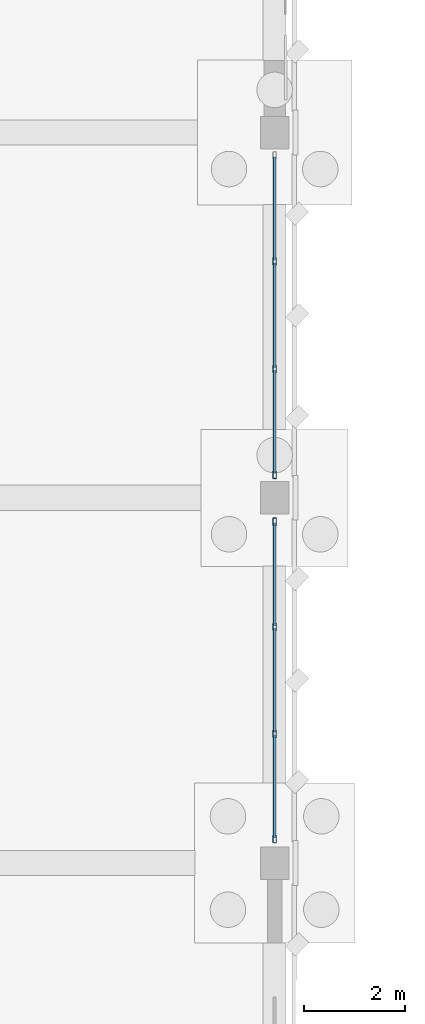
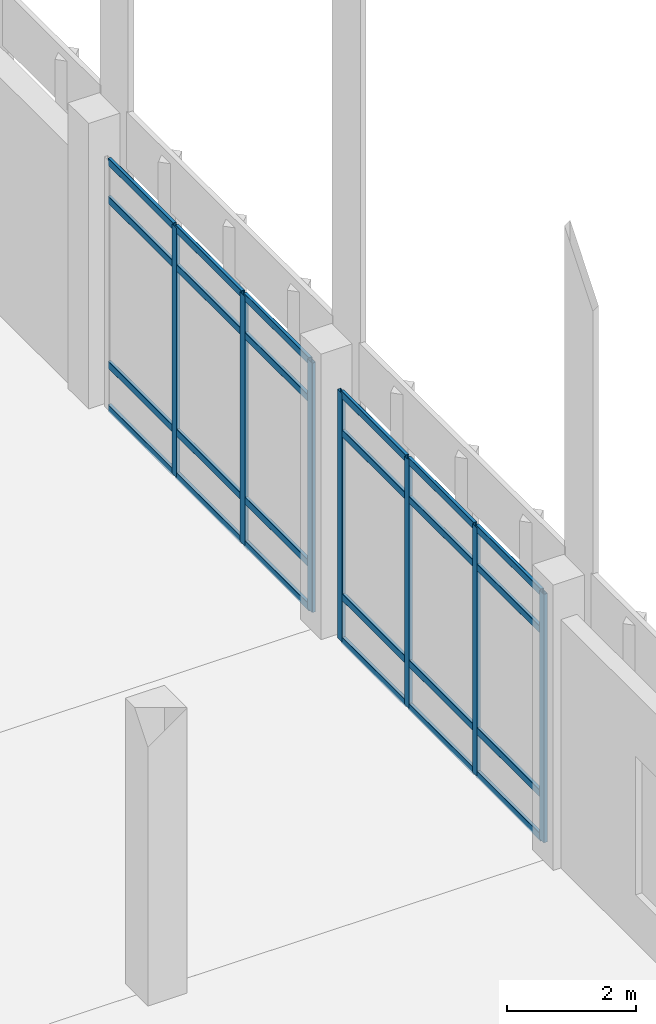
# One storey, part 67 of 109: 31 members, 2 elements without a shape of their own.
"""IFC4 building model written with IfcOpenShell, lengths in metres."""

from ifc_helpers import new_model, si_unit, direction, frame, origin, origin_2d, place, context, subcontext, project, spatial, hollow_rectangle, extrude, material, material_profile, profile_set, type_object, element, aggregate, save


model = new_model("IFC4")

# Units and contexts
model_context = context("Model", 3, precision=1e-05, world=origin(), true_north=direction((0.0, 1.0)))
body_context = subcontext(model_context, "Body", "Model", "MODEL_VIEW")
ifc_project = project(units=[si_unit("LENGTHUNIT", "METRE"), si_unit("AREAUNIT", "SQUARE_METRE"), si_unit("VOLUMEUNIT", "CUBIC_METRE"), si_unit("PLANEANGLEUNIT", "RADIAN"), si_unit("MASSUNIT", "GRAM", prefix="KILO")], contexts=[model_context])

# Site, building, storey
site_placement = place(None, origin())
site = spatial("IfcSite", under=ifc_project, at=site_placement, CompositionType="ELEMENT")
building_placement = place(site_placement, origin())
building = spatial("IfcBuilding", under=site, at=building_placement, Name="Lusvemor Sports Hall", CompositionType="ELEMENT")
storey_placement = place(building_placement, origin())
storey = spatial("IfcBuildingStorey", under=building, at=storey_placement, Name="L00", CompositionType="ELEMENT", Elevation=0.0)

# Curtain wall, members
ifc_material_1 = material(Name="Thermally broken bronze-anodized aluminium", Category="aluminium")
curtain_wall_type_1 = type_object("IfcCurtainWallType", Name="CW_WING_B", PredefinedType="NOTDEFINED", material=ifc_material_1)
curtain_wall_1_placement = place(storey_placement, origin())
curtain_wall_1 = element("IfcCurtainWall", 1, at=curtain_wall_1_placement, inside=storey, type_object=curtain_wall_type_1, Name="Curtain Wall CW-L00-E-2-0", PredefinedType="NOTDEFINED")
ifc_material_2 = material(Name="Thermally broken bronze-anodized aluminium", Category="aluminium")
ifc_material_profile_1 = material_profile(ifc_material_2, hollow_rectangle(XDim=0.06494140625, YDim=0.14990234375, WallThickness=0.00390625, InnerFilletRadius=0.00390625, OuterFilletRadius=0.008056640625, at=origin_2d()), Name="CWMUL150x65x4")
ifc_profile_set_1 = profile_set([ifc_material_profile_1], Name="Thermally broken bronze-anodized aluminium")
member_type_1 = type_object("IfcMemberType", Name="CW_MUL_B", PredefinedType="MULLION", material=ifc_profile_set_1)
member_1_placement = place(storey_placement, frame((169.199951171875, 87.4599609375, 0.0), z_axis=(0.0, 0.0, 1.0), x_axis=(1.0, 0.0, 0.0)))
member_1 = element("IfcMember", 2, at=member_1_placement, type_object=member_type_1, Name="CW02 mullion 2", PredefinedType="MULLION", context=body_context, shape_type="SweptSolid", body=[
    extrude(hollow_rectangle(XDim=0.06494140625, YDim=0.14990234375, WallThickness=0.00390625, InnerFilletRadius=0.00390625, OuterFilletRadius=0.008056640625, at=origin_2d()), origin(), (0.0, 0.0, 1.0), 4.719970703125),
])
member_2_placement = place(storey_placement, frame((169.199951171875, 85.340087890625, 0.0), z_axis=(0.0, 0.0, 1.0), x_axis=(1.0, 0.0, 0.0)))
member_2 = element("IfcMember", 3, at=member_2_placement, type_object=member_type_1, Name="CW02 mullion 3", PredefinedType="MULLION", context=body_context, shape_type="SweptSolid", body=[
    extrude(hollow_rectangle(XDim=0.06494140625, YDim=0.14990234375, WallThickness=0.00390625, InnerFilletRadius=0.00390625, OuterFilletRadius=0.008056640625, at=origin_2d()), origin(), (0.0, 0.0, 1.0), 4.719970703125),
])
member_3_placement = place(storey_placement, frame((169.199951171875, 83.25244140625, 0.0), z_axis=(0.0, 0.0, 1.0), x_axis=(1.0, 0.0, 0.0)))
member_3 = element("IfcMember", 4, at=member_3_placement, type_object=member_type_1, Name="CW02 mullion 4", PredefinedType="MULLION", context=body_context, shape_type="SweptSolid", body=[
    extrude(hollow_rectangle(XDim=0.06494140625, YDim=0.14990234375, WallThickness=0.00390625, InnerFilletRadius=0.00390625, OuterFilletRadius=0.008056640625, at=origin_2d()), origin(), (0.0, 0.0, 1.0), 4.719970703125),
])

ifc_material_3 = material(Name="Thermally broken bronze-anodized aluminium", Category="aluminium")
curtain_wall_type_2 = type_object("IfcCurtainWallType", Name="CW_PASSAGE_E", PredefinedType="NOTDEFINED", material=ifc_material_3)
curtain_wall_2_placement = place(storey_placement, origin())
curtain_wall_2 = element("IfcCurtainWall", 5, at=curtain_wall_2_placement, inside=storey, type_object=curtain_wall_type_2, Name="Curtain Wall CW-NLINK-169-L00", PredefinedType="NOTDEFINED")
member_4_placement = place(storey_placement, frame((169.199951171875, 76.072509765625, 0.0), z_axis=(0.0, 0.0, 1.0), x_axis=(-1.0, 0.0, 0.0)))
member_4 = element("IfcMember", 6, at=member_4_placement, type_object=member_type_1, Name="CW05 mullion 1", PredefinedType="MULLION", context=body_context, shape_type="SweptSolid", body=[
    extrude(hollow_rectangle(XDim=0.06494140625, YDim=0.14990234375, WallThickness=0.00390625, InnerFilletRadius=0.00390625, OuterFilletRadius=0.008056640625, at=origin_2d()), origin(), (0.0, 0.0, 1.0), 4.699951171875),
])
member_5_placement = place(storey_placement, frame((169.199951171875, 78.146728515625, 0.0), z_axis=(0.0, 0.0, 1.0), x_axis=(-1.0, 0.0, 0.0)))
member_5 = element("IfcMember", 7, at=member_5_placement, type_object=member_type_1, Name="CW05 mullion 2", PredefinedType="MULLION", context=body_context, shape_type="SweptSolid", body=[
    extrude(hollow_rectangle(XDim=0.06494140625, YDim=0.14990234375, WallThickness=0.00390625, InnerFilletRadius=0.00390625, OuterFilletRadius=0.008056640625, at=origin_2d()), origin(), (0.0, 0.0, 1.0), 4.699951171875),
])
member_6_placement = place(storey_placement, frame((169.199951171875, 80.25341796875, 0.0), z_axis=(0.0, 0.0, 1.0), x_axis=(-1.0, 0.0, 0.0)))
member_6 = element("IfcMember", 8, at=member_6_placement, type_object=member_type_1, Name="CW05 mullion 3", PredefinedType="MULLION", context=body_context, shape_type="SweptSolid", body=[
    extrude(hollow_rectangle(XDim=0.06494140625, YDim=0.14990234375, WallThickness=0.00390625, InnerFilletRadius=0.00390625, OuterFilletRadius=0.008056640625, at=origin_2d()), origin(), (0.0, 0.0, 1.0), 4.699951171875),
])
member_7_placement = place(storey_placement, frame((169.199951171875, 82.327392578125, 0.0), z_axis=(0.0, 0.0, 1.0), x_axis=(-1.0, 0.0, 0.0)))
member_7 = element("IfcMember", 9, at=member_7_placement, type_object=member_type_1, Name="CW05 mullion 4", PredefinedType="MULLION", context=body_context, shape_type="SweptSolid", body=[
    extrude(hollow_rectangle(XDim=0.06494140625, YDim=0.14990234375, WallThickness=0.00390625, InnerFilletRadius=0.00390625, OuterFilletRadius=0.008056640625, at=origin_2d()), origin(), (0.0, 0.0, 1.0), 4.699951171875),
])

# Member
ifc_material_4 = material(Name="Thermally broken bronze-anodized aluminium", Category="aluminium")
ifc_material_profile_2 = material_profile(ifc_material_4, hollow_rectangle(XDim=0.06005859375, YDim=0.135009765625, WallThickness=0.00390625, InnerFilletRadius=0.00390625, OuterFilletRadius=0.008056640625, at=origin_2d()), Name="CWTRN135x60x4")
ifc_profile_set_2 = profile_set([ifc_material_profile_2], Name="Thermally broken bronze-anodized aluminium")
member_type_2 = type_object("IfcMemberType", Name="CW_TRN_B", PredefinedType="USERDEFINED", material=ifc_profile_set_2)
member_8_placement = place(storey_placement, frame((169.199951171875, 89.514892578125, 0.030029296875), z_axis=(0.0, -1.0, 0.0), x_axis=(1.0, 0.0, 0.0)))
member_8 = element("IfcMember", 10, at=member_8_placement, type_object=member_type_2, Name="CW02 transom 1.1", ObjectType="TRANSOM", PredefinedType="USERDEFINED", context=body_context, shape_type="SweptSolid", body=[
    extrude(hollow_rectangle(XDim=0.06005859375, YDim=0.135009765625, WallThickness=0.00390625, InnerFilletRadius=0.00390625, OuterFilletRadius=0.008056640625, at=origin_2d()), origin(), (0.0, 0.0, 1.0), 2.0224609375),
])

member_9_placement = place(storey_placement, frame((169.199951171875, 89.514892578125, 0.85009765625), z_axis=(0.0, -1.0, 0.0), x_axis=(1.0, 0.0, 0.0)))
member_9 = element("IfcMember", 11, at=member_9_placement, type_object=member_type_2, Name="CW02 transom 1.2", ObjectType="TRANSOM", PredefinedType="USERDEFINED", context=body_context, shape_type="SweptSolid", body=[
    extrude(hollow_rectangle(XDim=0.06005859375, YDim=0.135009765625, WallThickness=0.00390625, InnerFilletRadius=0.00390625, OuterFilletRadius=0.008056640625, at=origin_2d()), origin(), (0.0, 0.0, 1.0), 2.0224609375),
])

member_10_placement = place(storey_placement, frame((169.199951171875, 89.514892578125, 3.969970703125), z_axis=(0.0, -1.0, 0.0), x_axis=(1.0, 0.0, 0.0)))
member_10 = element("IfcMember", 12, at=member_10_placement, type_object=member_type_2, Name="CW02 transom 1.3", ObjectType="TRANSOM", PredefinedType="USERDEFINED", context=body_context, shape_type="SweptSolid", body=[
    extrude(hollow_rectangle(XDim=0.06005859375, YDim=0.135009765625, WallThickness=0.00390625, InnerFilletRadius=0.00390625, OuterFilletRadius=0.008056640625, at=origin_2d()), origin(), (0.0, 0.0, 1.0), 2.0224609375),
])

member_11_placement = place(storey_placement, frame((169.199951171875, 89.514892578125, 4.68994140625), z_axis=(0.0, -1.0, 0.0), x_axis=(1.0, 0.0, 0.0)))
member_11 = element("IfcMember", 13, at=member_11_placement, type_object=member_type_2, Name="CW02 transom 1.4", ObjectType="TRANSOM", PredefinedType="USERDEFINED", context=body_context, shape_type="SweptSolid", body=[
    extrude(hollow_rectangle(XDim=0.06005859375, YDim=0.135009765625, WallThickness=0.00390625, InnerFilletRadius=0.00390625, OuterFilletRadius=0.008056640625, at=origin_2d()), origin(), (0.0, 0.0, 1.0), 2.0224609375),
])

member_12_placement = place(storey_placement, frame((169.199951171875, 87.427490234375, 0.030029296875), z_axis=(0.0, -1.0, 0.0), x_axis=(1.0, 0.0, 0.0)))
member_12 = element("IfcMember", 14, at=member_12_placement, type_object=member_type_2, Name="CW02 transom 2.1", ObjectType="TRANSOM", PredefinedType="USERDEFINED", context=body_context, shape_type="SweptSolid", body=[
    extrude(hollow_rectangle(XDim=0.06005859375, YDim=0.135009765625, WallThickness=0.00390625, InnerFilletRadius=0.00390625, OuterFilletRadius=0.008056640625, at=origin_2d()), origin(), (0.0, 0.0, 1.0), 2.054931640625),
])

member_13_placement = place(storey_placement, frame((169.199951171875, 87.427490234375, 0.85009765625), z_axis=(0.0, -1.0, 0.0), x_axis=(1.0, 0.0, 0.0)))
member_13 = element("IfcMember", 15, at=member_13_placement, type_object=member_type_2, Name="CW02 transom 2.2", ObjectType="TRANSOM", PredefinedType="USERDEFINED", context=body_context, shape_type="SweptSolid", body=[
    extrude(hollow_rectangle(XDim=0.06005859375, YDim=0.135009765625, WallThickness=0.00390625, InnerFilletRadius=0.00390625, OuterFilletRadius=0.008056640625, at=origin_2d()), origin(), (0.0, 0.0, 1.0), 2.054931640625),
])

member_14_placement = place(storey_placement, frame((169.199951171875, 87.427490234375, 3.969970703125), z_axis=(0.0, -1.0, 0.0), x_axis=(1.0, 0.0, 0.0)))
member_14 = element("IfcMember", 16, at=member_14_placement, type_object=member_type_2, Name="CW02 transom 2.3", ObjectType="TRANSOM", PredefinedType="USERDEFINED", context=body_context, shape_type="SweptSolid", body=[
    extrude(hollow_rectangle(XDim=0.06005859375, YDim=0.135009765625, WallThickness=0.00390625, InnerFilletRadius=0.00390625, OuterFilletRadius=0.008056640625, at=origin_2d()), origin(), (0.0, 0.0, 1.0), 2.054931640625),
])

member_15_placement = place(storey_placement, frame((169.199951171875, 87.427490234375, 4.68994140625), z_axis=(0.0, -1.0, 0.0), x_axis=(1.0, 0.0, 0.0)))
member_15 = element("IfcMember", 17, at=member_15_placement, type_object=member_type_2, Name="CW02 transom 2.4", ObjectType="TRANSOM", PredefinedType="USERDEFINED", context=body_context, shape_type="SweptSolid", body=[
    extrude(hollow_rectangle(XDim=0.06005859375, YDim=0.135009765625, WallThickness=0.00390625, InnerFilletRadius=0.00390625, OuterFilletRadius=0.008056640625, at=origin_2d()), origin(), (0.0, 0.0, 1.0), 2.054931640625),
])

member_16_placement = place(storey_placement, frame((169.199951171875, 85.3076171875, 0.030029296875), z_axis=(0.0, -1.0, 0.0), x_axis=(1.0, 0.0, 0.0)))
member_16 = element("IfcMember", 18, at=member_16_placement, type_object=member_type_2, Name="CW02 transom 3.1", ObjectType="TRANSOM", PredefinedType="USERDEFINED", context=body_context, shape_type="SweptSolid", body=[
    extrude(hollow_rectangle(XDim=0.06005859375, YDim=0.135009765625, WallThickness=0.00390625, InnerFilletRadius=0.00390625, OuterFilletRadius=0.008056640625, at=origin_2d()), origin(), (0.0, 0.0, 1.0), 2.022705078125),
])

member_17_placement = place(storey_placement, frame((169.199951171875, 85.3076171875, 0.85009765625), z_axis=(0.0, -1.0, 0.0), x_axis=(1.0, 0.0, 0.0)))
member_17 = element("IfcMember", 19, at=member_17_placement, type_object=member_type_2, Name="CW02 transom 3.2", ObjectType="TRANSOM", PredefinedType="USERDEFINED", context=body_context, shape_type="SweptSolid", body=[
    extrude(hollow_rectangle(XDim=0.06005859375, YDim=0.135009765625, WallThickness=0.00390625, InnerFilletRadius=0.00390625, OuterFilletRadius=0.008056640625, at=origin_2d()), origin(), (0.0, 0.0, 1.0), 2.022705078125),
])

member_18_placement = place(storey_placement, frame((169.199951171875, 85.3076171875, 3.969970703125), z_axis=(0.0, -1.0, 0.0), x_axis=(1.0, 0.0, 0.0)))
member_18 = element("IfcMember", 20, at=member_18_placement, type_object=member_type_2, Name="CW02 transom 3.3", ObjectType="TRANSOM", PredefinedType="USERDEFINED", context=body_context, shape_type="SweptSolid", body=[
    extrude(hollow_rectangle(XDim=0.06005859375, YDim=0.135009765625, WallThickness=0.00390625, InnerFilletRadius=0.00390625, OuterFilletRadius=0.008056640625, at=origin_2d()), origin(), (0.0, 0.0, 1.0), 2.022705078125),
])

member_19_placement = place(storey_placement, frame((169.199951171875, 85.3076171875, 4.68994140625), z_axis=(0.0, -1.0, 0.0), x_axis=(1.0, 0.0, 0.0)))
member_19 = element("IfcMember", 21, at=member_19_placement, type_object=member_type_2, Name="CW02 transom 3.4", ObjectType="TRANSOM", PredefinedType="USERDEFINED", context=body_context, shape_type="SweptSolid", body=[
    extrude(hollow_rectangle(XDim=0.06005859375, YDim=0.135009765625, WallThickness=0.00390625, InnerFilletRadius=0.00390625, OuterFilletRadius=0.008056640625, at=origin_2d()), origin(), (0.0, 0.0, 1.0), 2.022705078125),
])

aggregate(curtain_wall_1, [member_1, member_2, member_3, member_8, member_9, member_10, member_11, member_12, member_13, member_14, member_15, member_16, member_17, member_18, member_19])

member_20_placement = place(storey_placement, frame((169.199951171875, 76.10498046875, 0.030029296875), z_axis=(0.0, 1.0, 0.0), x_axis=(-1.0, 0.0, 0.0)))
member_20 = element("IfcMember", 22, at=member_20_placement, type_object=member_type_2, Name="CW05 transom 1.1", ObjectType="TRANSOM", PredefinedType="USERDEFINED", context=body_context, shape_type="SweptSolid", body=[
    extrude(hollow_rectangle(XDim=0.06005859375, YDim=0.135009765625, WallThickness=0.00390625, InnerFilletRadius=0.00390625, OuterFilletRadius=0.008056640625, at=origin_2d()), origin(), (0.0, 0.0, 1.0), 2.00927734375),
])

member_21_placement = place(storey_placement, frame((169.199951171875, 76.10498046875, 0.85009765625), z_axis=(0.0, 1.0, 0.0), x_axis=(-1.0, 0.0, 0.0)))
member_21 = element("IfcMember", 23, at=member_21_placement, type_object=member_type_2, Name="CW05 transom 1.2", ObjectType="TRANSOM", PredefinedType="USERDEFINED", context=body_context, shape_type="SweptSolid", body=[
    extrude(hollow_rectangle(XDim=0.06005859375, YDim=0.135009765625, WallThickness=0.00390625, InnerFilletRadius=0.00390625, OuterFilletRadius=0.008056640625, at=origin_2d()), origin(), (0.0, 0.0, 1.0), 2.00927734375),
])

member_22_placement = place(storey_placement, frame((169.199951171875, 76.10498046875, 3.949951171875), z_axis=(0.0, 1.0, 0.0), x_axis=(-1.0, 0.0, 0.0)))
member_22 = element("IfcMember", 24, at=member_22_placement, type_object=member_type_2, Name="CW05 transom 1.3", ObjectType="TRANSOM", PredefinedType="USERDEFINED", context=body_context, shape_type="SweptSolid", body=[
    extrude(hollow_rectangle(XDim=0.06005859375, YDim=0.135009765625, WallThickness=0.00390625, InnerFilletRadius=0.00390625, OuterFilletRadius=0.008056640625, at=origin_2d()), origin(), (0.0, 0.0, 1.0), 2.00927734375),
])

member_23_placement = place(storey_placement, frame((169.199951171875, 76.10498046875, 4.669921875), z_axis=(0.0, 1.0, 0.0), x_axis=(-1.0, 0.0, 0.0)))
member_23 = element("IfcMember", 25, at=member_23_placement, type_object=member_type_2, Name="CW05 transom 1.4", ObjectType="TRANSOM", PredefinedType="USERDEFINED", context=body_context, shape_type="SweptSolid", body=[
    extrude(hollow_rectangle(XDim=0.06005859375, YDim=0.135009765625, WallThickness=0.00390625, InnerFilletRadius=0.00390625, OuterFilletRadius=0.008056640625, at=origin_2d()), origin(), (0.0, 0.0, 1.0), 2.00927734375),
])

member_24_placement = place(storey_placement, frame((169.199951171875, 78.17919921875, 0.030029296875), z_axis=(0.0, 1.0, 0.0), x_axis=(-1.0, 0.0, 0.0)))
member_24 = element("IfcMember", 26, at=member_24_placement, type_object=member_type_2, Name="CW05 transom 2.1", ObjectType="TRANSOM", PredefinedType="USERDEFINED", context=body_context, shape_type="SweptSolid", body=[
    extrude(hollow_rectangle(XDim=0.06005859375, YDim=0.135009765625, WallThickness=0.00390625, InnerFilletRadius=0.00390625, OuterFilletRadius=0.008056640625, at=origin_2d()), origin(), (0.0, 0.0, 1.0), 2.041748046875),
])

member_25_placement = place(storey_placement, frame((169.199951171875, 78.17919921875, 0.85009765625), z_axis=(0.0, 1.0, 0.0), x_axis=(-1.0, 0.0, 0.0)))
member_25 = element("IfcMember", 27, at=member_25_placement, type_object=member_type_2, Name="CW05 transom 2.2", ObjectType="TRANSOM", PredefinedType="USERDEFINED", context=body_context, shape_type="SweptSolid", body=[
    extrude(hollow_rectangle(XDim=0.06005859375, YDim=0.135009765625, WallThickness=0.00390625, InnerFilletRadius=0.00390625, OuterFilletRadius=0.008056640625, at=origin_2d()), origin(), (0.0, 0.0, 1.0), 2.041748046875),
])

member_26_placement = place(storey_placement, frame((169.199951171875, 78.17919921875, 3.949951171875), z_axis=(0.0, 1.0, 0.0), x_axis=(-1.0, 0.0, 0.0)))
member_26 = element("IfcMember", 28, at=member_26_placement, type_object=member_type_2, Name="CW05 transom 2.3", ObjectType="TRANSOM", PredefinedType="USERDEFINED", context=body_context, shape_type="SweptSolid", body=[
    extrude(hollow_rectangle(XDim=0.06005859375, YDim=0.135009765625, WallThickness=0.00390625, InnerFilletRadius=0.00390625, OuterFilletRadius=0.008056640625, at=origin_2d()), origin(), (0.0, 0.0, 1.0), 2.041748046875),
])

member_27_placement = place(storey_placement, frame((169.199951171875, 78.17919921875, 4.669921875), z_axis=(0.0, 1.0, 0.0), x_axis=(-1.0, 0.0, 0.0)))
member_27 = element("IfcMember", 29, at=member_27_placement, type_object=member_type_2, Name="CW05 transom 2.4", ObjectType="TRANSOM", PredefinedType="USERDEFINED", context=body_context, shape_type="SweptSolid", body=[
    extrude(hollow_rectangle(XDim=0.06005859375, YDim=0.135009765625, WallThickness=0.00390625, InnerFilletRadius=0.00390625, OuterFilletRadius=0.008056640625, at=origin_2d()), origin(), (0.0, 0.0, 1.0), 2.041748046875),
])

member_28_placement = place(storey_placement, frame((169.199951171875, 80.285888671875, 0.030029296875), z_axis=(0.0, 1.0, 0.0), x_axis=(-1.0, 0.0, 0.0)))
member_28 = element("IfcMember", 30, at=member_28_placement, type_object=member_type_2, Name="CW05 transom 3.1", ObjectType="TRANSOM", PredefinedType="USERDEFINED", context=body_context, shape_type="SweptSolid", body=[
    extrude(hollow_rectangle(XDim=0.06005859375, YDim=0.135009765625, WallThickness=0.00390625, InnerFilletRadius=0.00390625, OuterFilletRadius=0.008056640625, at=origin_2d()), origin(), (0.0, 0.0, 1.0), 2.009033203125),
])

member_29_placement = place(storey_placement, frame((169.199951171875, 80.285888671875, 0.85009765625), z_axis=(0.0, 1.0, 0.0), x_axis=(-1.0, 0.0, 0.0)))
member_29 = element("IfcMember", 31, at=member_29_placement, type_object=member_type_2, Name="CW05 transom 3.2", ObjectType="TRANSOM", PredefinedType="USERDEFINED", context=body_context, shape_type="SweptSolid", body=[
    extrude(hollow_rectangle(XDim=0.06005859375, YDim=0.135009765625, WallThickness=0.00390625, InnerFilletRadius=0.00390625, OuterFilletRadius=0.008056640625, at=origin_2d()), origin(), (0.0, 0.0, 1.0), 2.009033203125),
])

member_30_placement = place(storey_placement, frame((169.199951171875, 80.285888671875, 3.949951171875), z_axis=(0.0, 1.0, 0.0), x_axis=(-1.0, 0.0, 0.0)))
member_30 = element("IfcMember", 32, at=member_30_placement, type_object=member_type_2, Name="CW05 transom 3.3", ObjectType="TRANSOM", PredefinedType="USERDEFINED", context=body_context, shape_type="SweptSolid", body=[
    extrude(hollow_rectangle(XDim=0.06005859375, YDim=0.135009765625, WallThickness=0.00390625, InnerFilletRadius=0.00390625, OuterFilletRadius=0.008056640625, at=origin_2d()), origin(), (0.0, 0.0, 1.0), 2.009033203125),
])

member_31_placement = place(storey_placement, frame((169.199951171875, 80.285888671875, 4.669921875), z_axis=(0.0, 1.0, 0.0), x_axis=(-1.0, 0.0, 0.0)))
member_31 = element("IfcMember", 33, at=member_31_placement, type_object=member_type_2, Name="CW05 transom 3.4", ObjectType="TRANSOM", PredefinedType="USERDEFINED", context=body_context, shape_type="SweptSolid", body=[
    extrude(hollow_rectangle(XDim=0.06005859375, YDim=0.135009765625, WallThickness=0.00390625, InnerFilletRadius=0.00390625, OuterFilletRadius=0.008056640625, at=origin_2d()), origin(), (0.0, 0.0, 1.0), 2.009033203125),
])

aggregate(curtain_wall_2, [member_4, member_5, member_6, member_7, member_20, member_21, member_22, member_23, member_24, member_25, member_26, member_27, member_28, member_29, member_30, member_31])

save(model, "model.ifc")
